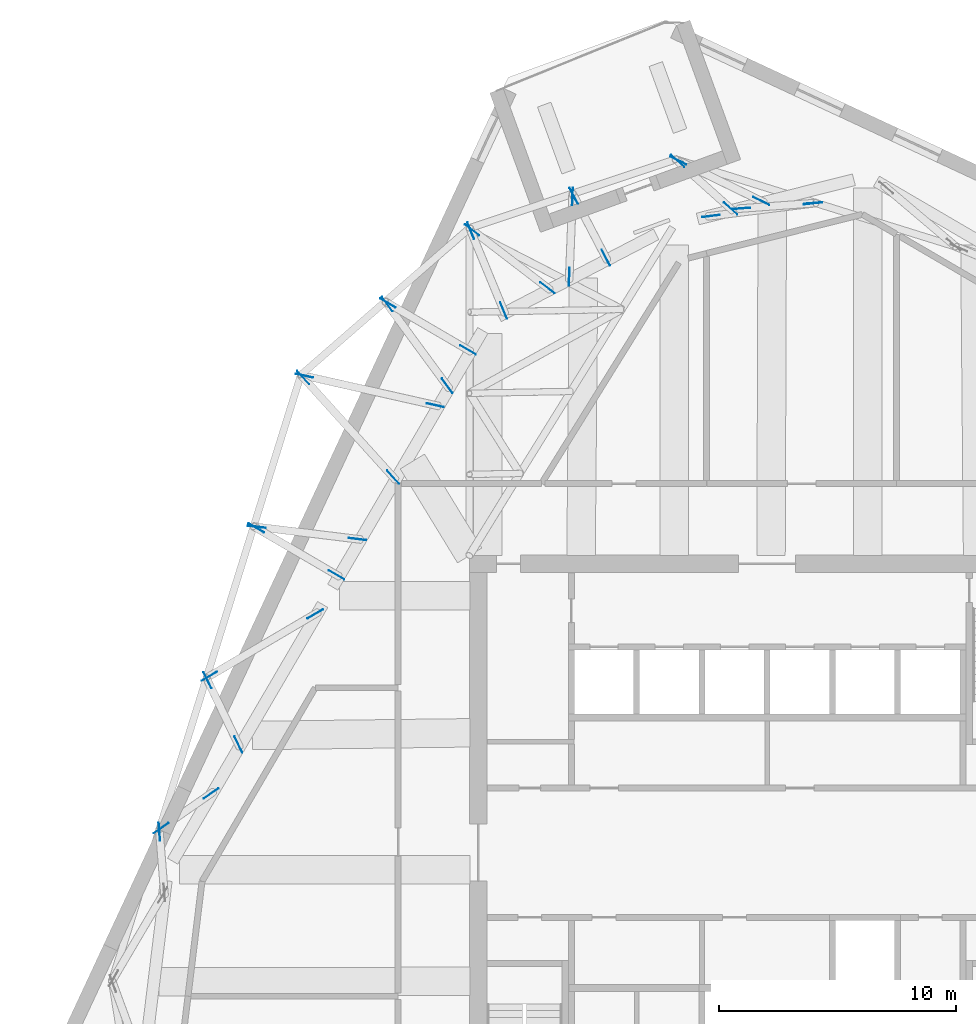
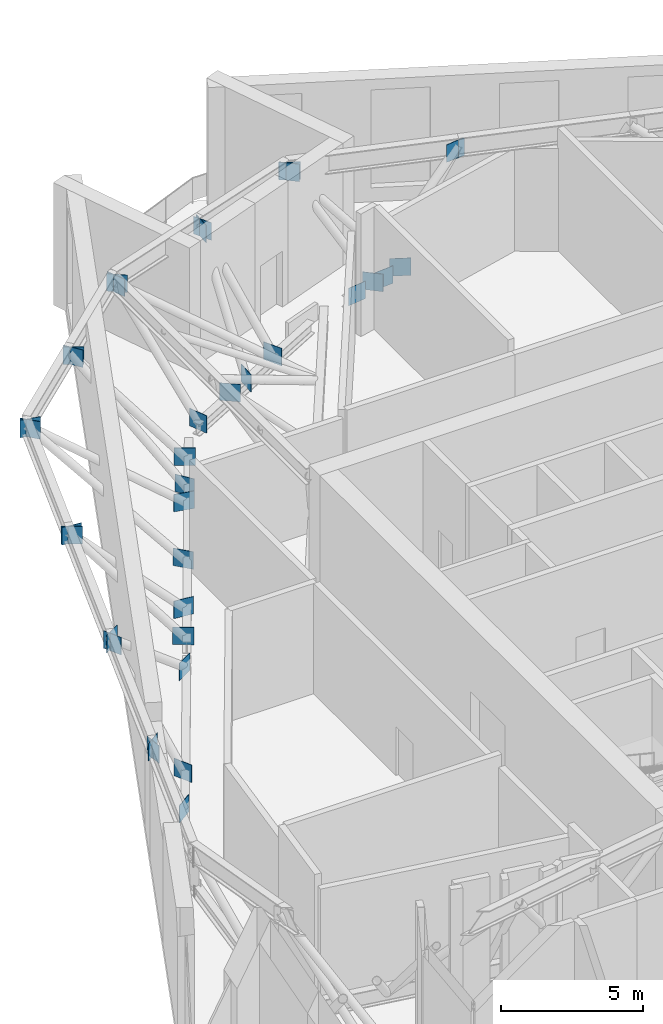
# One storey, part 12 of 15: 35 discrete accessories.
"""IFC4 building model written with IfcOpenShell, lengths in metres."""

from ifc_helpers import new_model, si_unit, direction, frame, origin, origin_2d, place, context, subcontext, project, spatial, rectangle, extrude, material, layer, layer_set, type_object, element, save


model = new_model("IFC4")

# Units and contexts
model_context = context("Model", 3, precision=1e-05, world=origin(), true_north=direction((0.0, 1.0)))
body_context = subcontext(model_context, "Body", "Model", "MODEL_VIEW")
ifc_project = project(units=[si_unit("LENGTHUNIT", "METRE"), si_unit("AREAUNIT", "SQUARE_METRE"), si_unit("VOLUMEUNIT", "CUBIC_METRE"), si_unit("PLANEANGLEUNIT", "RADIAN"), si_unit("MASSUNIT", "GRAM", prefix="KILO")], contexts=[model_context])

# Site, building, storey
site_placement = place(None, origin())
site = spatial("IfcSite", under=ifc_project, at=site_placement, CompositionType="ELEMENT")
building_placement = place(site_placement, origin())
building = spatial("IfcBuilding", under=site, at=building_placement, Name="Dilmun Exchange Tower", CompositionType="ELEMENT")
storey_placement = place(building_placement, frame((0.0, 0.0, 290.89990234375)))
storey = spatial("IfcBuildingStorey", under=building, at=storey_placement, Name="L69", CompositionType="ELEMENT", Elevation=290.89990234375)

# Discrete accessories
ifc_material = material(Name="Steel S355J2", Category="steel")
ifc_layer = layer(ifc_material, 0.02001953125)
ifc_layer_set = layer_set([ifc_layer], Name="Steel S355J2")
discrete_accessory_type = type_object("IfcDiscreteAccessoryType", Name="Gusset plate 20 x 750 x 750", PredefinedType="BRACKET", material=ifc_layer_set)
for number, where, z_axis, x_axis, name in (
    (1, (-12.490966796875, 26.210205078125, 4.32470703125), (0.0, 0.0, 1.0), (0.381459229203, -0.92438566435, 0.0), "Gusset plate L69-DG01 end 1"),
    (2, (-11.10546875, 22.852783203125, 0.018310546875), (0.0, 0.0, 1.0), (0.381459229203, -0.92438566435, 0.0), "Gusset plate L69-DG01 end 2"),
    (3, (-12.435791015625, 26.244384765625, 4.33056640625), (0.0, 0.0, 1.0), (0.793222635848, -0.608931728503, 0.0), "Gusset plate L69-DG02 end 1"),
    (4, (-9.260498046875, 23.806884765625, 0.0126953125), (0.0, 0.0, 1.0), (0.793222635848, -0.608931728503, 0.0), "Gusset plate L69-DG02 end 2"),
    (5, (-15.98486328125, 23.163818359375, 4.3291015625), (0.0, 0.0, 1.0), (0.863347115454, -0.504610501513, 0.0), "Gusset plate L69-DG03 end 1"),
    (6, (-12.606201171875, 21.189208984375, 0.013916015625), (0.0, 0.0, 1.0), (0.863347115454, -0.504610501513, 0.0), "Gusset plate L69-DG03 end 2"),
    (7, (-16.015380859375, 23.121337890625, 4.334716796875), (0.0, 0.0, 1.0), (0.592349307123, -0.805681263497, 0.0), "Gusset plate L69-DG04 end 1"),
    (8, (-13.48388671875, 19.677978515625, 0.008544921875), (0.0, 0.0, 1.0), (0.592349307123, -0.805681263497, 0.0), "Gusset plate L69-DG04 end 2"),
    (9, (-19.550537109375, 20.022705078125, 4.353515625), (0.0, 0.0, 1.0), (0.670348915755, -0.742046043819, 0.0), "Gusset plate L69-DG05 end 1"),
    (10, (-15.759033203125, 15.825927734375, -0.010498046875), (0.0, 0.0, 1.0), (0.670348915755, -0.742046043819, 0.0), "Gusset plate L69-DG05 end 2"),
    (11, (-19.505126953125, 20.100341796875, 4.353515625), (0.0, 0.0, 1.0), (0.97551612273, -0.219927929772, 0.0), "Gusset plate L69-DG06 end 1"),
    (12, (-13.98779296875, 18.8564453125, -0.010498046875), (0.0, 0.0, 1.0), (0.97551612273, -0.219927929772, 0.0), "Gusset plate L69-DG06 end 2"),
    (13, (-21.53076171875, 13.684326171875, 4.329345703125), (0.0, 0.0, 1.0), (0.863346234741, -0.504612008338, 0.0), "Gusset plate L69-DG07 end 1"),
    (14, (-18.148193359375, 11.70751953125, 0.013916015625), (0.0, 0.0, 1.0), (0.863346234741, -0.504612008338, 0.0), "Gusset plate L69-DG07 end 2"),
    (15, (-21.508544921875, 13.73193359375, 4.334716796875), (0.0, 0.0, 1.0), (0.992635431289, -0.121140003922, 0.0), "Gusset plate L69-DG08 end 1"),
    (16, (-17.261962890625, 13.2138671875, 0.00830078125), (0.0, 0.0, 1.0), (0.992635431289, -0.121140003922, 0.0), "Gusset plate L69-DG08 end 2"),
    (17, (-23.50537109375, 7.435791015625, 4.347412109375), (0.0, 0.0, 1.0), (0.861750493362, 0.507332324213, 0.0), "Gusset plate L69-DG09 end 1"),
    (18, (-19.04541015625, 10.0615234375, -0.004150390625), (0.0, 0.0, 1.0), (0.861750493362, 0.507332324213, 0.0), "Gusset plate L69-DG09 end 2"),
    (19, (-23.58251953125, 7.26611328125, 4.314453125), (0.0, 0.0, 1.0), (0.433004737091, -0.90139164499, 0.0), "Gusset plate L69-DG10 end 1"),
    (20, (-22.282958984375, 4.560791015625, 0.02880859375), (0.0, 0.0, 1.0), (0.433004737091, -0.90139164499, 0.0), "Gusset plate L69-DG10 end 2"),
    (21, (-25.610595703125, 0.882080078125, 4.307373046875), (0.0, 0.0, 1.0), (0.080529464307, -0.99675222868, 0.0), "Gusset plate L69-DG11 end 1"),
    (22, (-25.539306640625, 1.033447265625, 4.307373046875), (0.0, 0.0, 1.0), (0.821299589161, 0.570497138331, 0.0), "Gusset plate L69-DG12 end 1"),
    (23, (-23.433837890625, 2.49609375, 0.035888671875), (0.0, 0.0, 1.0), (0.821299589161, 0.570497138331, 0.0), "Gusset plate L69-DG12 end 2"),
    (24, (1.943115234375, 27.37158203125, 4.31494140625), (0.0, 0.0, 1.0), (-0.997323800338, -0.073111129658, 0.0), "Gusset plate L69-DG59 end 1"),
    (25, (-1.080810546875, 27.14990234375, 0.028076171875), (0.0, 0.0, 1.0), (-0.997323800338, -0.073111129658, 0.0), "Gusset plate L69-DG59 end 2"),
    (26, (1.919677734375, 27.363037109375, 4.33544921875), (0.0, 0.0, 1.0), (-0.992335173425, -0.123575497509, 0.0), "Gusset plate L69-DG60 end 1"),
    (27, (-2.36669921875, 26.829345703125, 0.0078125), (0.0, 0.0, 1.0), (-0.992335173425, -0.123575497509, 0.0), "Gusset plate L69-DG60 end 2"),
    (28, (-3.7431640625, 29.1650390625, 4.328857421875), (0.0, 0.0, 1.0), (0.899119731285, -0.437702763087, 0.0), "Gusset plate L69-DG61 end 1"),
    (29, (-0.24560546875, 27.46240234375, 0.014404296875), (0.0, 0.0, 1.0), (0.899119731285, -0.437702763087, 0.0), "Gusset plate L69-DG61 end 2"),
    (30, (-3.77587890625, 29.148193359375, 4.314453125), (0.0, 0.0, 1.0), (0.744727516528, -0.667368658333, 0.0), "Gusset plate L69-DG62 end 1"),
    (31, (-1.541015625, 27.1455078125, 0.02880859375), (0.0, 0.0, 1.0), (0.744727516528, -0.667368658333, 0.0), "Gusset plate L69-DG62 end 2"),
    (32, (-8.147705078125, 27.677001953125, 4.313232421875), (0.0, 0.0, 1.0), (0.461417282081, -0.887183234623, 0.0), "Gusset plate L69-DG63 end 1"),
    (33, (-6.7958984375, 25.077880859375, 0.02978515625), (0.0, 0.0, 1.0), (0.461417282081, -0.887183234623, 0.0), "Gusset plate L69-DG63 end 2"),
    (34, (-8.201171875, 27.655029296875, 4.32080078125), (0.0, 0.0, 1.0), (-0.04071251215, -0.999170901975, 0.0), "Gusset plate L69-DG64 end 1"),
    (35, (-8.339111328125, 24.26953125, 0.0224609375), (0.0, 0.0, 1.0), (-0.04071251215, -0.999170901975, 0.0), "Gusset plate L69-DG64 end 2"),
):
    element("IfcDiscreteAccessory", number, at=place(storey_placement, frame(where, z_axis=z_axis, x_axis=x_axis)), inside=storey, type_object=discrete_accessory_type, Name=name, PredefinedType="BRACKET", context=body_context, shape_type="SweptSolid", body=[
        extrude(rectangle(XDim=0.75, YDim=0.02001953125, at=origin_2d()), origin(), (0.0, 0.0, 1.0), 0.75),
    ])

save(model, "model.ifc")
